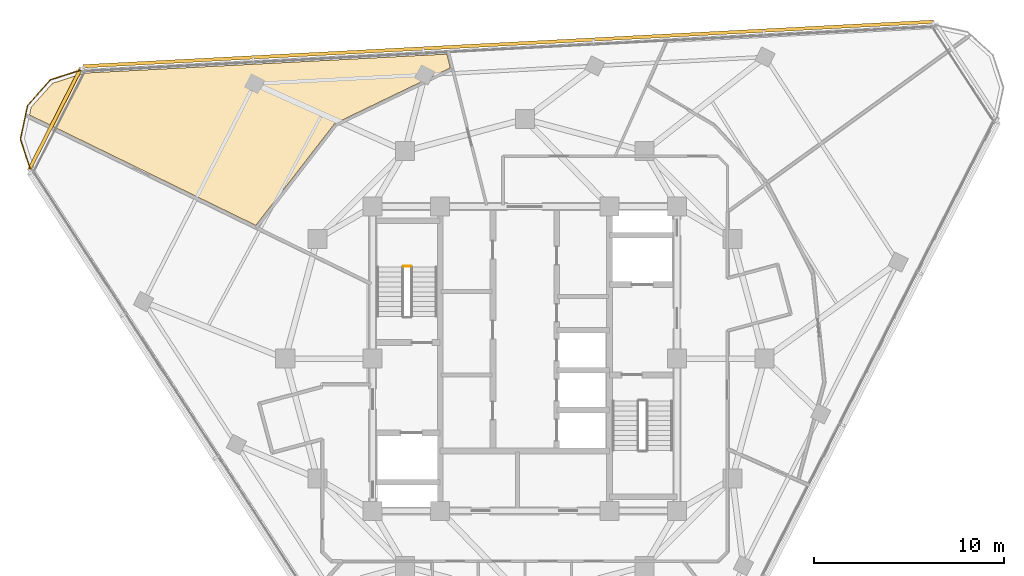
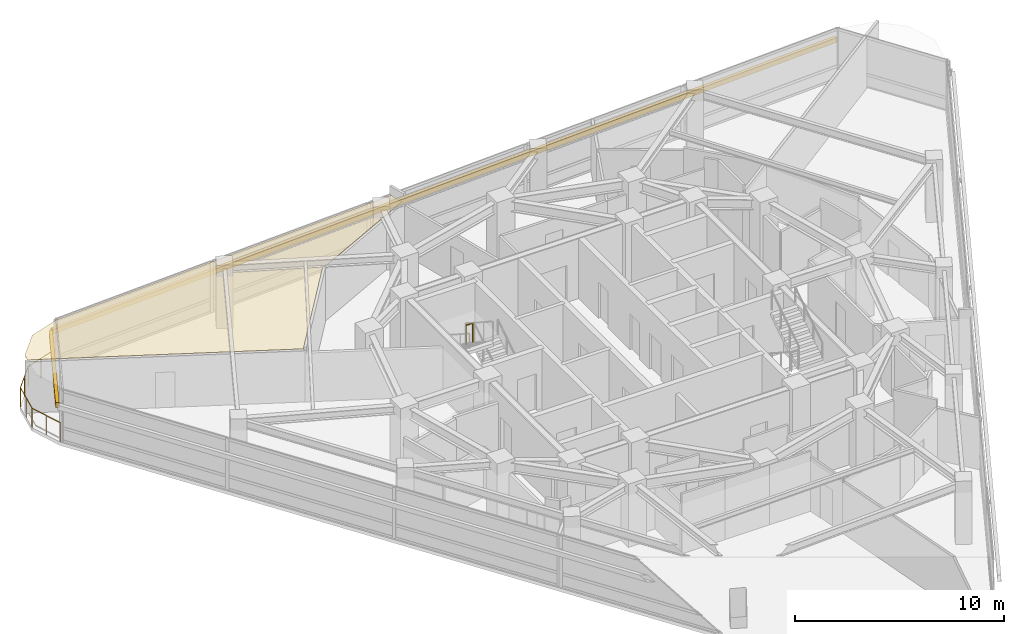
# One storey, part 14 of 15: 2 railings, 2 shading devices, 1 covering.
"""IFC4 building model written with IfcOpenShell, lengths in metres."""

from ifc_helpers import new_model, si_unit, direction, frame, origin, origin_2d, place, context, subcontext, project, spatial, polyline, rectangle, circle, outline, extrude, material, layer, layer_set, type_object, element, save


model = new_model("IFC4")

# Units and contexts
model_context = context("Model", 3, precision=1e-05, world=origin(), true_north=direction((0.0, 1.0)))
body_context = subcontext(model_context, "Body", "Model", "MODEL_VIEW")
ifc_project = project(units=[si_unit("LENGTHUNIT", "METRE"), si_unit("AREAUNIT", "SQUARE_METRE"), si_unit("VOLUMEUNIT", "CUBIC_METRE"), si_unit("PLANEANGLEUNIT", "RADIAN"), si_unit("MASSUNIT", "GRAM", prefix="KILO")], contexts=[model_context])

# Site, building, storey
site_placement = place(None, origin())
site = spatial("IfcSite", under=ifc_project, at=site_placement, CompositionType="ELEMENT")
building_placement = place(site_placement, origin())
building = spatial("IfcBuilding", under=site, at=building_placement, Name="Terralouvre Media Tower", CompositionType="ELEMENT")
storey_placement = place(building_placement, frame((0.0, 0.0, 255.89990234375)))
storey = spatial("IfcBuildingStorey", under=building, at=storey_placement, Name="L66", CompositionType="ELEMENT", Elevation=255.89990234375)

# Covering
ifc_material_1 = material(Name="Perforated aluminium acoustic ceiling baffle", Category="aluminium")
ifc_layer_1 = layer(ifc_material_1, 0.0400390625, Name="Perforated Acoustic Metal Tile Ceiling CL-AC1")
ifc_layer_set_1 = layer_set([ifc_layer_1], Name="Perforated aluminium acoustic ceiling baffle")
covering_type = type_object("IfcCoveringType", Name="Perforated Acoustic Metal Tile Ceiling CL-AC1", PredefinedType="CEILING", material=ifc_layer_set_1)
covering_placement = place(storey_placement, frame((0.0, 0.0, 2.97998046875), z_axis=(0.0, 0.0, 1.0), x_axis=(0.45399049974, 0.891006524188, 0.0)))
element("IfcCovering", 1, at=covering_placement, inside=storey, type_object=covering_type, Name="L66 Arts Guest Reception 12 Acoustic Ceiling", PredefinedType="CEILING", context=body_context, shape_type="SweptSolid", body=[
    extrude(outline(polyline([(6.4453125, 14.531982421875), (6.454345703125, 14.530029296875), (6.462890625, 14.527099609375), (6.471435546875, 14.523193359375), (6.4794921875, 14.518798828125), (6.4873046875, 14.513427734375), (11.851318359375, 10.434326171875), (12.413818359375, 10.92333984375), (2.855224609375, 27.47998046875), (1.63623046875, 28.699462890625), (-0.000244140625, 29.137451171875), (-0.40625, 29.028564453125), (-0.17578125, 15.789306640625), (6.4453125, 14.531982421875)])), origin(), (0.0, 0.0, 1.0), 0.0400390625),
])

# Railings
ifc_material_2 = material(Name="Stainless steel 316 handrail and balustrade", Category="steel")
ifc_layer_2 = layer(ifc_material_2, 0.06005859375, Name="Roof Edge Safety Guardrail GR-ROOF1")
ifc_layer_set_2 = layer_set([ifc_layer_2], Name="Stainless steel 316 handrail and balustrade")
railing_type_1 = type_object("IfcRailingType", Name="Roof Edge Safety Guardrail GR-ROOF1", PredefinedType="GUARDRAIL", material=ifc_layer_set_2)
railing_1_placement = place(storey_placement, frame((-23.216796875, 15.2294921875, 0.0)))
element("IfcRailing", 2, at=railing_1_placement, inside=storey, type_object=railing_type_1, Name="L66 Wind-Corner Perimeter Safety Guardrail C2", PredefinedType="GUARDRAIL", context=body_context, shape_type="SweptSolid", body=[
    extrude(circle(Radius=0.02099609375, at=origin_2d()), frame((0.0, 0.0, 1.12890625), z_axis=(-0.951160789169, -0.308695891043, 0.0), x_axis=(0.308695891043, -0.951160789169, 0.0)), (0.0, 0.0, 1.0), 1.81103515625),
    extrude(circle(Radius=0.02099609375, at=origin_2d()), frame((-1.72265625, -0.55908203125, 1.12890625), z_axis=(-0.66920303756, -0.743079601739, 0.0), x_axis=(0.743079601739, -0.66920303756, 0.0)), (0.0, 0.0, 1.0), 1.81103515625),
    extrude(circle(Radius=0.02099609375, at=origin_2d()), frame((-2.9345703125, -1.90478515625, 1.12890625), z_axis=(-0.207770065545, -0.978177693399, 0.0), x_axis=(0.978177693399, -0.207770065545, 0.0)), (0.0, 0.0, 1.0), 1.810791015625),
    extrude(circle(Radius=0.02099609375, at=origin_2d()), frame((-3.310791015625, -3.676025390625, 1.12890625), z_axis=(0.309223227826, -0.950989482262, 0.0), x_axis=(0.950989482262, 0.309223227826, 0.0)), (0.0, 0.0, 1.0), 1.811279296875),
    extrude(circle(Radius=0.01904296875, at=origin_2d()), origin(), (0.0, 0.0, 1.0), 1.10791015625),
    extrude(circle(Radius=0.01904296875, at=origin_2d()), frame((-0.861328125, -0.279541015625, 0.0)), (0.0, 0.0, 1.0), 1.10791015625),
    extrude(circle(Radius=0.01904296875, at=origin_2d()), frame((-1.72265625, -0.55908203125, 0.0)), (0.0, 0.0, 1.0), 1.10791015625),
    extrude(circle(Radius=0.01904296875, at=origin_2d()), frame((-2.32861328125, -1.23193359375, 0.0)), (0.0, 0.0, 1.0), 1.10791015625),
    extrude(circle(Radius=0.01904296875, at=origin_2d()), frame((-2.9345703125, -1.90478515625, 0.0)), (0.0, 0.0, 1.0), 1.10791015625),
    extrude(circle(Radius=0.01904296875, at=origin_2d()), frame((-3.12255859375, -2.79052734375, 0.0)), (0.0, 0.0, 1.0), 1.10791015625),
    extrude(circle(Radius=0.01904296875, at=origin_2d()), frame((-3.310791015625, -3.676025390625, 0.0)), (0.0, 0.0, 1.0), 1.10791015625),
    extrude(circle(Radius=0.01904296875, at=origin_2d()), frame((-3.03076171875, -4.537109375, 0.0)), (0.0, 0.0, 1.0), 1.10791015625),
    extrude(circle(Radius=0.01904296875, at=origin_2d()), frame((-2.750732421875, -5.3984375, 0.0)), (0.0, 0.0, 1.0), 1.10791015625),
])
ifc_material_3 = material(Name="Stainless steel 316 handrail and balustrade", Category="steel")
ifc_layer_3 = layer(ifc_material_3, 0.050048828125, Name="Stairwell Safety Guardrail GR-INT1")
ifc_layer_set_3 = layer_set([ifc_layer_3], Name="Stainless steel 316 handrail and balustrade")
railing_type_2 = type_object("IfcRailingType", Name="Stairwell Safety Guardrail GR-INT1", PredefinedType="GUARDRAIL", material=ifc_layer_set_3)
railing_2_placement = place(storey_placement, frame((-6.0, 4.8701171875, 1.85009765625)))
element("IfcRailing", 3, at=railing_2_placement, inside=storey, type_object=railing_type_2, Name="L66 ST-01 stair guard 2", PredefinedType="GUARDRAIL", context=body_context, shape_type="SweptSolid", body=[
    extrude(circle(Radius=0.02392578125, at=origin_2d()), frame((0.0, 0.0, 1.1259765625), z_axis=(-1.0, 0.0, 0.0), x_axis=(0.0, -1.0, 0.0)), (0.0, 0.0, 1.0), 0.3798828125),
    extrude(circle(Radius=0.02099609375, at=origin_2d()), origin(), (0.0, 0.0, 1.0), 1.101806640625),
    extrude(circle(Radius=0.02099609375, at=origin_2d()), frame((-0.3798828125, 0.0, 0.0)), (0.0, 0.0, 1.0), 1.101806640625),
])

# Shading devices
ifc_material_4 = material(Name="Extruded terracotta baguette sunshade louvres", Category="masonry")
shading_device_type = type_object("IfcShadingDeviceType", Name="Terracotta Baguette Sunshade Louvre Screen TB-LV1", PredefinedType="USERDEFINED", material=ifc_material_4)
shading_device_1_placement = place(storey_placement, frame((-0.867431640625, 16.550048828125, 2.02392578125), z_axis=(0.0, 0.0, 1.0), x_axis=(-0.998629523875, -0.052336163844, 0.0)))
element("IfcShadingDevice", 4, at=shading_device_1_placement, inside=storey, type_object=shading_device_type, Name="CW-L66-F1 Terracotta Baguette Sunshade Louvre", ObjectType="BAGUETTE", PredefinedType="USERDEFINED", context=body_context, shape_type="SweptSolid", body=[
    extrude(rectangle(XDim=44.800048828125, YDim=0.179931640625, at=origin_2d()), origin(), (0.0, 0.0, 1.0), 0.280029296875),
])
shading_device_2_placement = place(storey_placement, frame((-24.71240234375, 12.591552734375, 2.02392578125), z_axis=(0.0, 0.0, 1.0), x_axis=(-0.453990349937, -0.891006600517, 0.0)))
element("IfcShadingDevice", 5, at=shading_device_2_placement, inside=storey, type_object=shading_device_type, Name="CW-L66-C2 Terracotta Baguette Sunshade Louvre", ObjectType="BAGUETTE", PredefinedType="USERDEFINED", context=body_context, shape_type="SweptSolid", body=[
    extrude(rectangle(XDim=6.062255859375, YDim=0.179931640625, at=origin_2d()), origin(), (0.0, 0.0, 1.0), 0.280029296875),
])

save(model, "model.ifc")
